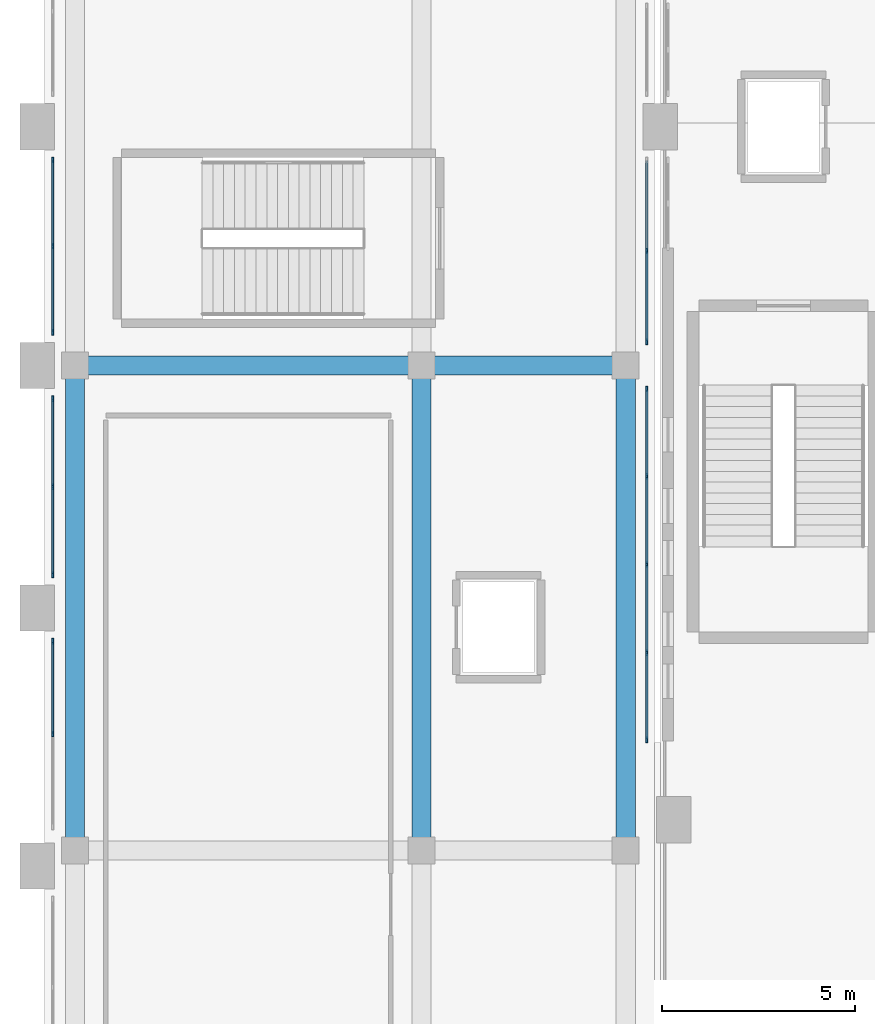
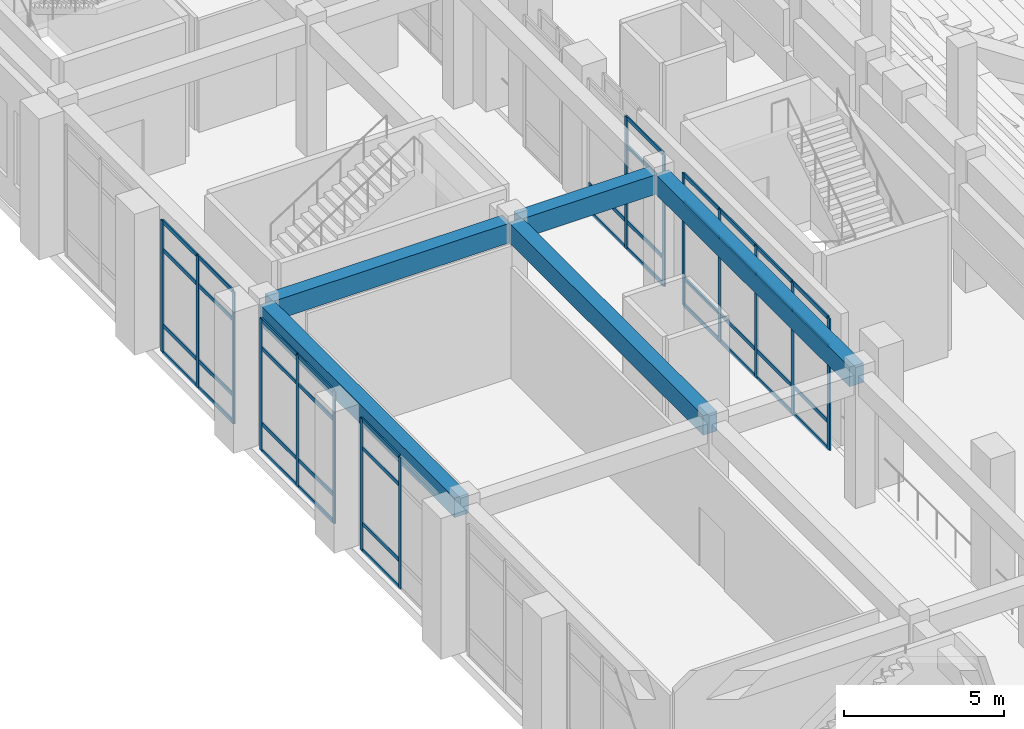
# One storey, part 28 of 159: 57 members, 5 beams, 5 elements without a shape of their own.
"""IFC4 building model written with IfcOpenShell, lengths in metres."""

from ifc_helpers import new_model, si_unit, derived_unit, direction, frame, origin, origin_2d, place, context, subcontext, project, spatial, rectangle, extrude, material, layer, layer_set, material_profile, profile_set, type_object, element, aggregate, save


model = new_model("IFC4")

# Units and contexts
model_context = context("Model", 3, precision=1e-05, world=origin(), true_north=direction((0.0, 1.0)))
body_context = subcontext(model_context, "Body", "Model", "MODEL_VIEW")
ifc_project = project(units=[si_unit("LENGTHUNIT", "METRE"), si_unit("AREAUNIT", "SQUARE_METRE"), si_unit("VOLUMEUNIT", "CUBIC_METRE"), si_unit("PLANEANGLEUNIT", "RADIAN"), si_unit("MASSUNIT", "GRAM", prefix="KILO"), derived_unit("THERMALTRANSMITTANCEUNIT", [(si_unit("MASSUNIT", "GRAM", prefix="KILO"), 1), (si_unit("TIMEUNIT", "SECOND"), -3), (si_unit("THERMODYNAMICTEMPERATUREUNIT", "KELVIN"), -1)])], contexts=[model_context])

# Site, building, storey
site_placement = place(None, origin())
site = spatial("IfcSite", under=ifc_project, at=site_placement, CompositionType="ELEMENT")
building_placement = place(site_placement, origin())
building = spatial("IfcBuilding", under=site, at=building_placement, Name="Valcora Ridge Arena", CompositionType="ELEMENT")
storey_placement = place(building_placement, frame((0.0, 0.0, 6.0)))
storey = spatial("IfcBuildingStorey", under=building, at=storey_placement, Name="L01", CompositionType="ELEMENT", Elevation=6.0)

# Beams
ifc_material_1 = material(Name="Concrete C40/50", Category="concrete")
ifc_material_profile_1 = material_profile(ifc_material_1, rectangle(XDim=0.5, YDim=0.75, at=origin_2d()), Name="RC 500x750")
ifc_profile_set_1 = profile_set([ifc_material_profile_1], Name="Concrete C40/50")
beam_type_1 = type_object("IfcBeamType", Name="TY-BEAM-B-RC500-X", PredefinedType="BEAM", material=ifc_profile_set_1)
beam_1_placement = place(storey_placement, frame((1.0, 57.800048828125, 4.6650390625), z_axis=(1.0, 0.0, 0.0), x_axis=(0.0, 1.0, 0.0)))
element("IfcBeam", 1, at=beam_1_placement, inside=storey, type_object=beam_type_1, Name="B-RC500-X BEM-B-RC500-X-0047", PredefinedType="BEAM", context=body_context, shape_type="SweptSolid", body=[
    extrude(rectangle(XDim=0.5, YDim=0.75, at=origin_2d()), origin(), (0.0, 0.0, 1.0), 8.60009765625),
])
beam_2_placement = place(storey_placement, frame((10.0, 57.800048828125, 4.6650390625), z_axis=(1.0, 0.0, 0.0), x_axis=(0.0, 1.0, 0.0)))
element("IfcBeam", 2, at=beam_2_placement, inside=storey, type_object=beam_type_1, Name="B-RC500-X BEM-B-RC500-X-0048", PredefinedType="BEAM", context=body_context, shape_type="SweptSolid", body=[
    extrude(rectangle(XDim=0.5, YDim=0.75, at=origin_2d()), origin(), (0.0, 0.0, 1.0), 4.89990234375),
])
ifc_material_profile_2 = material_profile(ifc_material_1, rectangle(XDim=0.5, YDim=0.75, at=origin_2d()), Name="RC 500x750")
ifc_profile_set_2 = profile_set([ifc_material_profile_2], Name="Concrete C40/50")
beam_type_2 = type_object("IfcBeamType", Name="TY-BEAM-B-RC500-Y", PredefinedType="BEAM", material=ifc_profile_set_2)
for number, where, z_axis, x_axis, name in (
    (3, (0.800048828125, 45.39990234375, 4.6650390625), (0.0, 1.0, 0.0), (-1.0, 0.0, 0.0), "B-RC500-Y BEM-B-RC500-Y-0038"),
    (4, (9.800048828125, 45.39990234375, 4.6650390625), (0.0, 1.0, 0.0), (-1.0, 0.0, 0.0), "B-RC500-Y BEM-B-RC500-Y-0046"),
    (5, (15.10009765625, 45.39990234375, 4.6650390625), (0.0, 1.0, 0.0), (-1.0, 0.0, 0.0), "B-RC500-Y BEM-B-RC500-Y-0053"),
):
    element("IfcBeam", number, at=place(storey_placement, frame(where, z_axis=z_axis, x_axis=x_axis)), inside=storey, type_object=beam_type_2, Name=name, PredefinedType="BEAM", context=body_context, shape_type="SweptSolid", body=[
        extrude(rectangle(XDim=0.5, YDim=0.75, at=origin_2d()), origin(), (0.0, 0.0, 1.0), 12.2001953125),
    ])

# Curtain wall, members
ifc_material_2 = material(Name="Anodised dark bronze architectural aluminium 6063-T6", Category="aluminium")
ifc_layer_1 = layer(ifc_material_2, 0.14990234375, Name="Anodised dark bronze architectural aluminium 6063-T6")
ifc_layer_set_1 = layer_set([ifc_layer_1], Name="Anodised dark bronze architectural aluminium 6063-T6")
curtain_wall_type_1 = type_object("IfcCurtainWallType", Name="TY-CURTAINWALL-CW-V4-CLUB-049X50", PredefinedType="NOTDEFINED", material=ifc_layer_set_1)
curtain_wall_1_placement = place(storey_placement, origin())
curtain_wall_1 = element("IfcCurtainWall", 6, at=curtain_wall_1_placement, inside=storey, type_object=curtain_wall_type_1, Name="CW-V4-CLUB-049X50 CW-0226", PredefinedType="NOTDEFINED")
ifc_material_profile_3 = material_profile(ifc_material_2, rectangle(XDim=0.050048828125, YDim=0.14990234375, at=origin_2d()), Name="ALU MULLION 50x150")
ifc_profile_set_3 = profile_set([ifc_material_profile_3], Name="Anodised dark bronze architectural aluminium 6063-T6")
member_type_1 = type_object("IfcMemberType", Name="TY-MEM-CWM-50x150", PredefinedType="MULLION", material=ifc_profile_set_3)
member_1_placement = place(storey_placement, frame((0.219970703125, 48.22509765625, 0.0), z_axis=(0.0, 0.0, 1.0), x_axis=(-1.0, 0.0, 0.0)))
member_1 = element("IfcMember", 7, at=member_1_placement, type_object=member_type_1, Name="CW-0226/CWM-50x150/M01", PredefinedType="MULLION", context=body_context, shape_type="SweptSolid", body=[
    extrude(rectangle(XDim=0.050048828125, YDim=0.14990234375, at=origin_2d()), origin(), (0.0, 0.0, 1.0), 5.0400390625),
])
member_2_placement = place(storey_placement, frame((0.219970703125, 50.635009765625, 0.0), z_axis=(0.0, 0.0, 1.0), x_axis=(-1.0, 0.0, 0.0)))
member_2 = element("IfcMember", 8, at=member_2_placement, type_object=member_type_1, Name="CW-0226/CWM-50x150/M02", PredefinedType="MULLION", context=body_context, shape_type="SweptSolid", body=[
    extrude(rectangle(XDim=0.050048828125, YDim=0.14990234375, at=origin_2d()), origin(), (0.0, 0.0, 1.0), 5.0400390625),
])

ifc_layer_2 = layer(ifc_material_2, 0.14990234375, Name="Anodised dark bronze architectural aluminium 6063-T6")
ifc_layer_set_2 = layer_set([ifc_layer_2], Name="Anodised dark bronze architectural aluminium 6063-T6")
curtain_wall_type_2 = type_object("IfcCurtainWallType", Name="TY-CURTAINWALL-CW-V4-CLUB-046X50", PredefinedType="NOTDEFINED", material=ifc_layer_set_2)
curtain_wall_2_placement = place(storey_placement, origin())
curtain_wall_2 = element("IfcCurtainWall", 9, at=curtain_wall_2_placement, inside=storey, type_object=curtain_wall_type_2, Name="CW-V4-CLUB-046X50 CW-0227", PredefinedType="NOTDEFINED")
member_3_placement = place(storey_placement, frame((0.219970703125, 52.364990234375, 0.0), z_axis=(0.0, 0.0, 1.0), x_axis=(-1.0, 0.0, 0.0)))
member_3 = element("IfcMember", 10, at=member_3_placement, type_object=member_type_1, Name="CW-0227/CWM-50x150/M00", PredefinedType="MULLION", context=body_context, shape_type="SweptSolid", body=[
    extrude(rectangle(XDim=0.050048828125, YDim=0.14990234375, at=origin_2d()), origin(), (0.0, 0.0, 1.0), 5.0400390625),
])
member_4_placement = place(storey_placement, frame((0.219970703125, 54.64990234375, 0.0), z_axis=(0.0, 0.0, 1.0), x_axis=(-1.0, 0.0, 0.0)))
member_4 = element("IfcMember", 11, at=member_4_placement, type_object=member_type_1, Name="CW-0227/CWM-50x150/M01", PredefinedType="MULLION", context=body_context, shape_type="SweptSolid", body=[
    extrude(rectangle(XDim=0.050048828125, YDim=0.14990234375, at=origin_2d()), origin(), (0.0, 0.0, 1.0), 5.0400390625),
])
member_5_placement = place(storey_placement, frame((0.219970703125, 56.93505859375, 0.0), z_axis=(0.0, 0.0, 1.0), x_axis=(-1.0, 0.0, 0.0)))
member_5 = element("IfcMember", 12, at=member_5_placement, type_object=member_type_1, Name="CW-0227/CWM-50x150/M02", PredefinedType="MULLION", context=body_context, shape_type="SweptSolid", body=[
    extrude(rectangle(XDim=0.050048828125, YDim=0.14990234375, at=origin_2d()), origin(), (0.0, 0.0, 1.0), 5.0400390625),
])

ifc_layer_3 = layer(ifc_material_2, 0.14990234375, Name="Anodised dark bronze architectural aluminium 6063-T6")
ifc_layer_set_3 = layer_set([ifc_layer_3], Name="Anodised dark bronze architectural aluminium 6063-T6")
curtain_wall_type_3 = type_object("IfcCurtainWallType", Name="TY-CURTAINWALL-CW-V4-CLUB-045X50", PredefinedType="NOTDEFINED", material=ifc_layer_set_3)
curtain_wall_3_placement = place(storey_placement, origin())
curtain_wall_3 = element("IfcCurtainWall", 13, at=curtain_wall_3_placement, inside=storey, type_object=curtain_wall_type_3, Name="CW-V4-CLUB-045X50 CW-0228", PredefinedType="NOTDEFINED")
member_6_placement = place(storey_placement, frame((0.219970703125, 58.6650390625, 0.0), z_axis=(0.0, 0.0, 1.0), x_axis=(-1.0, 0.0, 0.0)))
member_6 = element("IfcMember", 14, at=member_6_placement, type_object=member_type_1, Name="CW-0228/CWM-50x150/M00", PredefinedType="MULLION", context=body_context, shape_type="SweptSolid", body=[
    extrude(rectangle(XDim=0.050048828125, YDim=0.14990234375, at=origin_2d()), origin(), (0.0, 0.0, 1.0), 5.0400390625),
])
member_7_placement = place(storey_placement, frame((0.219970703125, 60.89990234375, 0.0), z_axis=(0.0, 0.0, 1.0), x_axis=(-1.0, 0.0, 0.0)))
member_7 = element("IfcMember", 15, at=member_7_placement, type_object=member_type_1, Name="CW-0228/CWM-50x150/M01", PredefinedType="MULLION", context=body_context, shape_type="SweptSolid", body=[
    extrude(rectangle(XDim=0.050048828125, YDim=0.14990234375, at=origin_2d()), origin(), (0.0, 0.0, 1.0), 5.0400390625),
])
member_8_placement = place(storey_placement, frame((0.219970703125, 63.135009765625, 0.0), z_axis=(0.0, 0.0, 1.0), x_axis=(-1.0, 0.0, 0.0)))
member_8 = element("IfcMember", 16, at=member_8_placement, type_object=member_type_1, Name="CW-0228/CWM-50x150/M02", PredefinedType="MULLION", context=body_context, shape_type="SweptSolid", body=[
    extrude(rectangle(XDim=0.050048828125, YDim=0.14990234375, at=origin_2d()), origin(), (0.0, 0.0, 1.0), 5.0400390625),
])

ifc_layer_4 = layer(ifc_material_2, 0.14990234375, Name="Anodised dark bronze architectural aluminium 6063-T6")
ifc_layer_set_4 = layer_set([ifc_layer_4], Name="Anodised dark bronze architectural aluminium 6063-T6")
curtain_wall_type_4 = type_object("IfcCurtainWallType", Name="TY-CURTAINWALL-CW-V4-CLUB-092X50", PredefinedType="NOTDEFINED", material=ifc_layer_set_4)
curtain_wall_4_placement = place(storey_placement, origin())
curtain_wall_4 = element("IfcCurtainWall", 17, at=curtain_wall_4_placement, inside=storey, type_object=curtain_wall_type_4, Name="CW-V4-CLUB-092X50 CW-0230", PredefinedType="NOTDEFINED")
member_9_placement = place(storey_placement, frame((15.64990234375, 48.074951171875, 0.0), z_axis=(0.0, 0.0, 1.0), x_axis=(-1.0, 0.0, 0.0)))
member_9 = element("IfcMember", 18, at=member_9_placement, type_object=member_type_1, Name="CW-0230/CWM-50x150/M00", PredefinedType="MULLION", context=body_context, shape_type="SweptSolid", body=[
    extrude(rectangle(XDim=0.050048828125, YDim=0.14990234375, at=origin_2d()), origin(), (0.0, 0.0, 1.0), 5.0400390625),
])
member_10_placement = place(storey_placement, frame((15.64990234375, 50.340087890625, 0.0), z_axis=(0.0, 0.0, 1.0), x_axis=(-1.0, 0.0, 0.0)))
member_10 = element("IfcMember", 19, at=member_10_placement, type_object=member_type_1, Name="CW-0230/CWM-50x150/M01", PredefinedType="MULLION", context=body_context, shape_type="SweptSolid", body=[
    extrude(rectangle(XDim=0.050048828125, YDim=0.14990234375, at=origin_2d()), origin(), (0.0, 0.0, 1.0), 5.0400390625),
])
member_11_placement = place(storey_placement, frame((15.64990234375, 52.6298828125, 0.0), z_axis=(0.0, 0.0, 1.0), x_axis=(-1.0, 0.0, 0.0)))
member_11 = element("IfcMember", 20, at=member_11_placement, type_object=member_type_1, Name="CW-0230/CWM-50x150/M02", PredefinedType="MULLION", context=body_context, shape_type="SweptSolid", body=[
    extrude(rectangle(XDim=0.050048828125, YDim=0.14990234375, at=origin_2d()), origin(), (0.0, 0.0, 1.0), 5.0400390625),
])
member_12_placement = place(storey_placement, frame((15.64990234375, 54.919921875, 0.0), z_axis=(0.0, 0.0, 1.0), x_axis=(-1.0, 0.0, 0.0)))
member_12 = element("IfcMember", 21, at=member_12_placement, type_object=member_type_1, Name="CW-0230/CWM-50x150/M03", PredefinedType="MULLION", context=body_context, shape_type="SweptSolid", body=[
    extrude(rectangle(XDim=0.050048828125, YDim=0.14990234375, at=origin_2d()), origin(), (0.0, 0.0, 1.0), 5.0400390625),
])
member_13_placement = place(storey_placement, frame((15.64990234375, 57.18505859375, 0.0), z_axis=(0.0, 0.0, 1.0), x_axis=(-1.0, 0.0, 0.0)))
member_13 = element("IfcMember", 22, at=member_13_placement, type_object=member_type_1, Name="CW-0230/CWM-50x150/M04", PredefinedType="MULLION", context=body_context, shape_type="SweptSolid", body=[
    extrude(rectangle(XDim=0.050048828125, YDim=0.14990234375, at=origin_2d()), origin(), (0.0, 0.0, 1.0), 5.0400390625),
])

ifc_layer_5 = layer(ifc_material_2, 0.14990234375, Name="Anodised dark bronze architectural aluminium 6063-T6")
ifc_layer_set_5 = layer_set([ifc_layer_5], Name="Anodised dark bronze architectural aluminium 6063-T6")
curtain_wall_type_5 = type_object("IfcCurtainWallType", Name="TY-CURTAINWALL-CW-V4-CLUB-048X50", PredefinedType="NOTDEFINED", material=ifc_layer_set_5)
curtain_wall_5_placement = place(storey_placement, origin())
curtain_wall_5 = element("IfcCurtainWall", 23, at=curtain_wall_5_placement, inside=storey, type_object=curtain_wall_type_5, Name="CW-V4-CLUB-048X50 CW-0231", PredefinedType="NOTDEFINED")
member_14_placement = place(storey_placement, frame((15.64990234375, 58.4150390625, 0.0), z_axis=(0.0, 0.0, 1.0), x_axis=(-1.0, 0.0, 0.0)))
member_14 = element("IfcMember", 24, at=member_14_placement, type_object=member_type_1, Name="CW-0231/CWM-50x150/M00", PredefinedType="MULLION", context=body_context, shape_type="SweptSolid", body=[
    extrude(rectangle(XDim=0.050048828125, YDim=0.14990234375, at=origin_2d()), origin(), (0.0, 0.0, 1.0), 5.0400390625),
])
member_15_placement = place(storey_placement, frame((15.64990234375, 60.77490234375, 0.0), z_axis=(0.0, 0.0, 1.0), x_axis=(-1.0, 0.0, 0.0)))
member_15 = element("IfcMember", 25, at=member_15_placement, type_object=member_type_1, Name="CW-0231/CWM-50x150/M01", PredefinedType="MULLION", context=body_context, shape_type="SweptSolid", body=[
    extrude(rectangle(XDim=0.050048828125, YDim=0.14990234375, at=origin_2d()), origin(), (0.0, 0.0, 1.0), 5.0400390625),
])

# Member
ifc_material_profile_4 = material_profile(ifc_material_2, rectangle(XDim=0.050048828125, YDim=0.14990234375, at=origin_2d()), Name="ALU TRANSOM 50x150")
ifc_profile_set_4 = profile_set([ifc_material_profile_4], Name="Anodised dark bronze architectural aluminium 6063-T6")
member_type_2 = type_object("IfcMemberType", Name="TY-MEM-CWT-50x150", PredefinedType="USERDEFINED", material=ifc_profile_set_4)
member_16_placement = place(storey_placement, frame((0.219970703125, 48.25, 0.02490234375), z_axis=(0.0, 1.0, 0.0), x_axis=(-1.0, 0.0, 0.0)))
member_16 = element("IfcMember", 26, at=member_16_placement, type_object=member_type_2, Name="CW-0226/CWT-50x150/T01-00", ObjectType="TRANSOM", PredefinedType="USERDEFINED", context=body_context, shape_type="SweptSolid", body=[
    extrude(rectangle(XDim=0.050048828125, YDim=0.14990234375, at=origin_2d()), origin(), (0.0, 0.0, 1.0), 2.360107421875),
])

member_17_placement = place(storey_placement, frame((0.219970703125, 48.25, 1.050048828125), z_axis=(0.0, 1.0, 0.0), x_axis=(-1.0, 0.0, 0.0)))
member_17 = element("IfcMember", 27, at=member_17_placement, type_object=member_type_2, Name="CW-0226/CWT-50x150/T01-01", ObjectType="TRANSOM", PredefinedType="USERDEFINED", context=body_context, shape_type="SweptSolid", body=[
    extrude(rectangle(XDim=0.050048828125, YDim=0.14990234375, at=origin_2d()), origin(), (0.0, 0.0, 1.0), 2.360107421875),
])

member_18_placement = place(storey_placement, frame((0.219970703125, 48.25, 3.93994140625), z_axis=(0.0, 1.0, 0.0), x_axis=(-1.0, 0.0, 0.0)))
member_18 = element("IfcMember", 28, at=member_18_placement, type_object=member_type_2, Name="CW-0226/CWT-50x150/T01-02", ObjectType="TRANSOM", PredefinedType="USERDEFINED", context=body_context, shape_type="SweptSolid", body=[
    extrude(rectangle(XDim=0.050048828125, YDim=0.14990234375, at=origin_2d()), origin(), (0.0, 0.0, 1.0), 2.360107421875),
])

member_19_placement = place(storey_placement, frame((0.219970703125, 48.25, 5.014892578125), z_axis=(0.0, 1.0, 0.0), x_axis=(-1.0, 0.0, 0.0)))
member_19 = element("IfcMember", 29, at=member_19_placement, type_object=member_type_2, Name="CW-0226/CWT-50x150/T01-03", ObjectType="TRANSOM", PredefinedType="USERDEFINED", context=body_context, shape_type="SweptSolid", body=[
    extrude(rectangle(XDim=0.050048828125, YDim=0.14990234375, at=origin_2d()), origin(), (0.0, 0.0, 1.0), 2.360107421875),
])

aggregate(curtain_wall_1, [member_1, member_2, member_16, member_17, member_18, member_19])

member_20_placement = place(storey_placement, frame((0.219970703125, 52.389892578125, 0.02490234375), z_axis=(0.0, 1.0, 0.0), x_axis=(-1.0, 0.0, 0.0)))
member_20 = element("IfcMember", 30, at=member_20_placement, type_object=member_type_2, Name="CW-0227/CWT-50x150/T00-00", ObjectType="TRANSOM", PredefinedType="USERDEFINED", context=body_context, shape_type="SweptSolid", body=[
    extrude(rectangle(XDim=0.050048828125, YDim=0.14990234375, at=origin_2d()), origin(), (0.0, 0.0, 1.0), 2.235107421875),
])

member_21_placement = place(storey_placement, frame((0.219970703125, 52.389892578125, 1.050048828125), z_axis=(0.0, 1.0, 0.0), x_axis=(-1.0, 0.0, 0.0)))
member_21 = element("IfcMember", 31, at=member_21_placement, type_object=member_type_2, Name="CW-0227/CWT-50x150/T00-01", ObjectType="TRANSOM", PredefinedType="USERDEFINED", context=body_context, shape_type="SweptSolid", body=[
    extrude(rectangle(XDim=0.050048828125, YDim=0.14990234375, at=origin_2d()), origin(), (0.0, 0.0, 1.0), 2.235107421875),
])

member_22_placement = place(storey_placement, frame((0.219970703125, 52.389892578125, 3.93994140625), z_axis=(0.0, 1.0, 0.0), x_axis=(-1.0, 0.0, 0.0)))
member_22 = element("IfcMember", 32, at=member_22_placement, type_object=member_type_2, Name="CW-0227/CWT-50x150/T00-02", ObjectType="TRANSOM", PredefinedType="USERDEFINED", context=body_context, shape_type="SweptSolid", body=[
    extrude(rectangle(XDim=0.050048828125, YDim=0.14990234375, at=origin_2d()), origin(), (0.0, 0.0, 1.0), 2.235107421875),
])

member_23_placement = place(storey_placement, frame((0.219970703125, 52.389892578125, 5.014892578125), z_axis=(0.0, 1.0, 0.0), x_axis=(-1.0, 0.0, 0.0)))
member_23 = element("IfcMember", 33, at=member_23_placement, type_object=member_type_2, Name="CW-0227/CWT-50x150/T00-03", ObjectType="TRANSOM", PredefinedType="USERDEFINED", context=body_context, shape_type="SweptSolid", body=[
    extrude(rectangle(XDim=0.050048828125, YDim=0.14990234375, at=origin_2d()), origin(), (0.0, 0.0, 1.0), 2.235107421875),
])

member_24_placement = place(storey_placement, frame((0.219970703125, 54.675048828125, 0.02490234375), z_axis=(0.0, 1.0, 0.0), x_axis=(-1.0, 0.0, 0.0)))
member_24 = element("IfcMember", 34, at=member_24_placement, type_object=member_type_2, Name="CW-0227/CWT-50x150/T01-00", ObjectType="TRANSOM", PredefinedType="USERDEFINED", context=body_context, shape_type="SweptSolid", body=[
    extrude(rectangle(XDim=0.050048828125, YDim=0.14990234375, at=origin_2d()), origin(), (0.0, 0.0, 1.0), 2.23486328125),
])

member_25_placement = place(storey_placement, frame((0.219970703125, 54.675048828125, 1.050048828125), z_axis=(0.0, 1.0, 0.0), x_axis=(-1.0, 0.0, 0.0)))
member_25 = element("IfcMember", 35, at=member_25_placement, type_object=member_type_2, Name="CW-0227/CWT-50x150/T01-01", ObjectType="TRANSOM", PredefinedType="USERDEFINED", context=body_context, shape_type="SweptSolid", body=[
    extrude(rectangle(XDim=0.050048828125, YDim=0.14990234375, at=origin_2d()), origin(), (0.0, 0.0, 1.0), 2.23486328125),
])

member_26_placement = place(storey_placement, frame((0.219970703125, 54.675048828125, 3.93994140625), z_axis=(0.0, 1.0, 0.0), x_axis=(-1.0, 0.0, 0.0)))
member_26 = element("IfcMember", 36, at=member_26_placement, type_object=member_type_2, Name="CW-0227/CWT-50x150/T01-02", ObjectType="TRANSOM", PredefinedType="USERDEFINED", context=body_context, shape_type="SweptSolid", body=[
    extrude(rectangle(XDim=0.050048828125, YDim=0.14990234375, at=origin_2d()), origin(), (0.0, 0.0, 1.0), 2.23486328125),
])

member_27_placement = place(storey_placement, frame((0.219970703125, 54.675048828125, 5.014892578125), z_axis=(0.0, 1.0, 0.0), x_axis=(-1.0, 0.0, 0.0)))
member_27 = element("IfcMember", 37, at=member_27_placement, type_object=member_type_2, Name="CW-0227/CWT-50x150/T01-03", ObjectType="TRANSOM", PredefinedType="USERDEFINED", context=body_context, shape_type="SweptSolid", body=[
    extrude(rectangle(XDim=0.050048828125, YDim=0.14990234375, at=origin_2d()), origin(), (0.0, 0.0, 1.0), 2.23486328125),
])

aggregate(curtain_wall_2, [member_3, member_4, member_5, member_20, member_21, member_22, member_23, member_24, member_25, member_26, member_27])

member_28_placement = place(storey_placement, frame((0.219970703125, 58.68994140625, 0.02490234375), z_axis=(0.0, 1.0, 0.0), x_axis=(-1.0, 0.0, 0.0)))
member_28 = element("IfcMember", 38, at=member_28_placement, type_object=member_type_2, Name="CW-0228/CWT-50x150/T00-00", ObjectType="TRANSOM", PredefinedType="USERDEFINED", context=body_context, shape_type="SweptSolid", body=[
    extrude(rectangle(XDim=0.050048828125, YDim=0.14990234375, at=origin_2d()), origin(), (0.0, 0.0, 1.0), 2.18505859375),
])

member_29_placement = place(storey_placement, frame((0.219970703125, 58.68994140625, 1.050048828125), z_axis=(0.0, 1.0, 0.0), x_axis=(-1.0, 0.0, 0.0)))
member_29 = element("IfcMember", 39, at=member_29_placement, type_object=member_type_2, Name="CW-0228/CWT-50x150/T00-01", ObjectType="TRANSOM", PredefinedType="USERDEFINED", context=body_context, shape_type="SweptSolid", body=[
    extrude(rectangle(XDim=0.050048828125, YDim=0.14990234375, at=origin_2d()), origin(), (0.0, 0.0, 1.0), 2.18505859375),
])

member_30_placement = place(storey_placement, frame((0.219970703125, 58.68994140625, 3.93994140625), z_axis=(0.0, 1.0, 0.0), x_axis=(-1.0, 0.0, 0.0)))
member_30 = element("IfcMember", 40, at=member_30_placement, type_object=member_type_2, Name="CW-0228/CWT-50x150/T00-02", ObjectType="TRANSOM", PredefinedType="USERDEFINED", context=body_context, shape_type="SweptSolid", body=[
    extrude(rectangle(XDim=0.050048828125, YDim=0.14990234375, at=origin_2d()), origin(), (0.0, 0.0, 1.0), 2.18505859375),
])

member_31_placement = place(storey_placement, frame((0.219970703125, 58.68994140625, 5.014892578125), z_axis=(0.0, 1.0, 0.0), x_axis=(-1.0, 0.0, 0.0)))
member_31 = element("IfcMember", 41, at=member_31_placement, type_object=member_type_2, Name="CW-0228/CWT-50x150/T00-03", ObjectType="TRANSOM", PredefinedType="USERDEFINED", context=body_context, shape_type="SweptSolid", body=[
    extrude(rectangle(XDim=0.050048828125, YDim=0.14990234375, at=origin_2d()), origin(), (0.0, 0.0, 1.0), 2.18505859375),
])

member_32_placement = place(storey_placement, frame((0.219970703125, 60.925048828125, 0.02490234375), z_axis=(0.0, 1.0, 0.0), x_axis=(-1.0, 0.0, 0.0)))
member_32 = element("IfcMember", 42, at=member_32_placement, type_object=member_type_2, Name="CW-0228/CWT-50x150/T01-00", ObjectType="TRANSOM", PredefinedType="USERDEFINED", context=body_context, shape_type="SweptSolid", body=[
    extrude(rectangle(XDim=0.050048828125, YDim=0.14990234375, at=origin_2d()), origin(), (0.0, 0.0, 1.0), 2.18505859375),
])

member_33_placement = place(storey_placement, frame((0.219970703125, 60.925048828125, 1.050048828125), z_axis=(0.0, 1.0, 0.0), x_axis=(-1.0, 0.0, 0.0)))
member_33 = element("IfcMember", 43, at=member_33_placement, type_object=member_type_2, Name="CW-0228/CWT-50x150/T01-01", ObjectType="TRANSOM", PredefinedType="USERDEFINED", context=body_context, shape_type="SweptSolid", body=[
    extrude(rectangle(XDim=0.050048828125, YDim=0.14990234375, at=origin_2d()), origin(), (0.0, 0.0, 1.0), 2.18505859375),
])

member_34_placement = place(storey_placement, frame((0.219970703125, 60.925048828125, 3.93994140625), z_axis=(0.0, 1.0, 0.0), x_axis=(-1.0, 0.0, 0.0)))
member_34 = element("IfcMember", 44, at=member_34_placement, type_object=member_type_2, Name="CW-0228/CWT-50x150/T01-02", ObjectType="TRANSOM", PredefinedType="USERDEFINED", context=body_context, shape_type="SweptSolid", body=[
    extrude(rectangle(XDim=0.050048828125, YDim=0.14990234375, at=origin_2d()), origin(), (0.0, 0.0, 1.0), 2.18505859375),
])

member_35_placement = place(storey_placement, frame((0.219970703125, 60.925048828125, 5.014892578125), z_axis=(0.0, 1.0, 0.0), x_axis=(-1.0, 0.0, 0.0)))
member_35 = element("IfcMember", 45, at=member_35_placement, type_object=member_type_2, Name="CW-0228/CWT-50x150/T01-03", ObjectType="TRANSOM", PredefinedType="USERDEFINED", context=body_context, shape_type="SweptSolid", body=[
    extrude(rectangle(XDim=0.050048828125, YDim=0.14990234375, at=origin_2d()), origin(), (0.0, 0.0, 1.0), 2.18505859375),
])

aggregate(curtain_wall_3, [member_6, member_7, member_8, member_28, member_29, member_30, member_31, member_32, member_33, member_34, member_35])

member_36_placement = place(storey_placement, frame((15.64990234375, 48.10009765625, 0.02490234375), z_axis=(0.0, 1.0, 0.0), x_axis=(-1.0, 0.0, 0.0)))
member_36 = element("IfcMember", 46, at=member_36_placement, type_object=member_type_2, Name="CW-0230/CWT-50x150/T00-00", ObjectType="TRANSOM", PredefinedType="USERDEFINED", context=body_context, shape_type="SweptSolid", body=[
    extrude(rectangle(XDim=0.050048828125, YDim=0.14990234375, at=origin_2d()), origin(), (0.0, 0.0, 1.0), 2.21484375),
])

member_37_placement = place(storey_placement, frame((15.64990234375, 48.10009765625, 1.050048828125), z_axis=(0.0, 1.0, 0.0), x_axis=(-1.0, 0.0, 0.0)))
member_37 = element("IfcMember", 47, at=member_37_placement, type_object=member_type_2, Name="CW-0230/CWT-50x150/T00-01", ObjectType="TRANSOM", PredefinedType="USERDEFINED", context=body_context, shape_type="SweptSolid", body=[
    extrude(rectangle(XDim=0.050048828125, YDim=0.14990234375, at=origin_2d()), origin(), (0.0, 0.0, 1.0), 2.21484375),
])

member_38_placement = place(storey_placement, frame((15.64990234375, 48.10009765625, 3.93994140625), z_axis=(0.0, 1.0, 0.0), x_axis=(-1.0, 0.0, 0.0)))
member_38 = element("IfcMember", 48, at=member_38_placement, type_object=member_type_2, Name="CW-0230/CWT-50x150/T00-02", ObjectType="TRANSOM", PredefinedType="USERDEFINED", context=body_context, shape_type="SweptSolid", body=[
    extrude(rectangle(XDim=0.050048828125, YDim=0.14990234375, at=origin_2d()), origin(), (0.0, 0.0, 1.0), 2.21484375),
])

member_39_placement = place(storey_placement, frame((15.64990234375, 48.10009765625, 5.014892578125), z_axis=(0.0, 1.0, 0.0), x_axis=(-1.0, 0.0, 0.0)))
member_39 = element("IfcMember", 49, at=member_39_placement, type_object=member_type_2, Name="CW-0230/CWT-50x150/T00-03", ObjectType="TRANSOM", PredefinedType="USERDEFINED", context=body_context, shape_type="SweptSolid", body=[
    extrude(rectangle(XDim=0.050048828125, YDim=0.14990234375, at=origin_2d()), origin(), (0.0, 0.0, 1.0), 2.21484375),
])

member_40_placement = place(storey_placement, frame((15.64990234375, 50.364990234375, 0.02490234375), z_axis=(0.0, 1.0, 0.0), x_axis=(-1.0, 0.0, 0.0)))
member_40 = element("IfcMember", 50, at=member_40_placement, type_object=member_type_2, Name="CW-0230/CWT-50x150/T01-00", ObjectType="TRANSOM", PredefinedType="USERDEFINED", context=body_context, shape_type="SweptSolid", body=[
    extrude(rectangle(XDim=0.050048828125, YDim=0.14990234375, at=origin_2d()), origin(), (0.0, 0.0, 1.0), 2.239990234375),
])

member_41_placement = place(storey_placement, frame((15.64990234375, 50.364990234375, 1.050048828125), z_axis=(0.0, 1.0, 0.0), x_axis=(-1.0, 0.0, 0.0)))
member_41 = element("IfcMember", 51, at=member_41_placement, type_object=member_type_2, Name="CW-0230/CWT-50x150/T01-01", ObjectType="TRANSOM", PredefinedType="USERDEFINED", context=body_context, shape_type="SweptSolid", body=[
    extrude(rectangle(XDim=0.050048828125, YDim=0.14990234375, at=origin_2d()), origin(), (0.0, 0.0, 1.0), 2.239990234375),
])

member_42_placement = place(storey_placement, frame((15.64990234375, 50.364990234375, 3.93994140625), z_axis=(0.0, 1.0, 0.0), x_axis=(-1.0, 0.0, 0.0)))
member_42 = element("IfcMember", 52, at=member_42_placement, type_object=member_type_2, Name="CW-0230/CWT-50x150/T01-02", ObjectType="TRANSOM", PredefinedType="USERDEFINED", context=body_context, shape_type="SweptSolid", body=[
    extrude(rectangle(XDim=0.050048828125, YDim=0.14990234375, at=origin_2d()), origin(), (0.0, 0.0, 1.0), 2.239990234375),
])

member_43_placement = place(storey_placement, frame((15.64990234375, 50.364990234375, 5.014892578125), z_axis=(0.0, 1.0, 0.0), x_axis=(-1.0, 0.0, 0.0)))
member_43 = element("IfcMember", 53, at=member_43_placement, type_object=member_type_2, Name="CW-0230/CWT-50x150/T01-03", ObjectType="TRANSOM", PredefinedType="USERDEFINED", context=body_context, shape_type="SweptSolid", body=[
    extrude(rectangle(XDim=0.050048828125, YDim=0.14990234375, at=origin_2d()), origin(), (0.0, 0.0, 1.0), 2.239990234375),
])

member_44_placement = place(storey_placement, frame((15.64990234375, 52.655029296875, 0.02490234375), z_axis=(0.0, 1.0, 0.0), x_axis=(-1.0, 0.0, 0.0)))
member_44 = element("IfcMember", 54, at=member_44_placement, type_object=member_type_2, Name="CW-0230/CWT-50x150/T02-00", ObjectType="TRANSOM", PredefinedType="USERDEFINED", context=body_context, shape_type="SweptSolid", body=[
    extrude(rectangle(XDim=0.050048828125, YDim=0.14990234375, at=origin_2d()), origin(), (0.0, 0.0, 1.0), 2.239990234375),
])

member_45_placement = place(storey_placement, frame((15.64990234375, 52.655029296875, 1.050048828125), z_axis=(0.0, 1.0, 0.0), x_axis=(-1.0, 0.0, 0.0)))
member_45 = element("IfcMember", 55, at=member_45_placement, type_object=member_type_2, Name="CW-0230/CWT-50x150/T02-01", ObjectType="TRANSOM", PredefinedType="USERDEFINED", context=body_context, shape_type="SweptSolid", body=[
    extrude(rectangle(XDim=0.050048828125, YDim=0.14990234375, at=origin_2d()), origin(), (0.0, 0.0, 1.0), 2.239990234375),
])

member_46_placement = place(storey_placement, frame((15.64990234375, 52.655029296875, 3.93994140625), z_axis=(0.0, 1.0, 0.0), x_axis=(-1.0, 0.0, 0.0)))
member_46 = element("IfcMember", 56, at=member_46_placement, type_object=member_type_2, Name="CW-0230/CWT-50x150/T02-02", ObjectType="TRANSOM", PredefinedType="USERDEFINED", context=body_context, shape_type="SweptSolid", body=[
    extrude(rectangle(XDim=0.050048828125, YDim=0.14990234375, at=origin_2d()), origin(), (0.0, 0.0, 1.0), 2.239990234375),
])

member_47_placement = place(storey_placement, frame((15.64990234375, 52.655029296875, 5.014892578125), z_axis=(0.0, 1.0, 0.0), x_axis=(-1.0, 0.0, 0.0)))
member_47 = element("IfcMember", 57, at=member_47_placement, type_object=member_type_2, Name="CW-0230/CWT-50x150/T02-03", ObjectType="TRANSOM", PredefinedType="USERDEFINED", context=body_context, shape_type="SweptSolid", body=[
    extrude(rectangle(XDim=0.050048828125, YDim=0.14990234375, at=origin_2d()), origin(), (0.0, 0.0, 1.0), 2.239990234375),
])

member_48_placement = place(storey_placement, frame((15.64990234375, 54.945068359375, 0.02490234375), z_axis=(0.0, 1.0, 0.0), x_axis=(-1.0, 0.0, 0.0)))
member_48 = element("IfcMember", 58, at=member_48_placement, type_object=member_type_2, Name="CW-0230/CWT-50x150/T03-00", ObjectType="TRANSOM", PredefinedType="USERDEFINED", context=body_context, shape_type="SweptSolid", body=[
    extrude(rectangle(XDim=0.050048828125, YDim=0.14990234375, at=origin_2d()), origin(), (0.0, 0.0, 1.0), 2.21484375),
])

member_49_placement = place(storey_placement, frame((15.64990234375, 54.945068359375, 1.050048828125), z_axis=(0.0, 1.0, 0.0), x_axis=(-1.0, 0.0, 0.0)))
member_49 = element("IfcMember", 59, at=member_49_placement, type_object=member_type_2, Name="CW-0230/CWT-50x150/T03-01", ObjectType="TRANSOM", PredefinedType="USERDEFINED", context=body_context, shape_type="SweptSolid", body=[
    extrude(rectangle(XDim=0.050048828125, YDim=0.14990234375, at=origin_2d()), origin(), (0.0, 0.0, 1.0), 2.21484375),
])

member_50_placement = place(storey_placement, frame((15.64990234375, 54.945068359375, 3.93994140625), z_axis=(0.0, 1.0, 0.0), x_axis=(-1.0, 0.0, 0.0)))
member_50 = element("IfcMember", 60, at=member_50_placement, type_object=member_type_2, Name="CW-0230/CWT-50x150/T03-02", ObjectType="TRANSOM", PredefinedType="USERDEFINED", context=body_context, shape_type="SweptSolid", body=[
    extrude(rectangle(XDim=0.050048828125, YDim=0.14990234375, at=origin_2d()), origin(), (0.0, 0.0, 1.0), 2.21484375),
])

member_51_placement = place(storey_placement, frame((15.64990234375, 54.945068359375, 5.014892578125), z_axis=(0.0, 1.0, 0.0), x_axis=(-1.0, 0.0, 0.0)))
member_51 = element("IfcMember", 61, at=member_51_placement, type_object=member_type_2, Name="CW-0230/CWT-50x150/T03-03", ObjectType="TRANSOM", PredefinedType="USERDEFINED", context=body_context, shape_type="SweptSolid", body=[
    extrude(rectangle(XDim=0.050048828125, YDim=0.14990234375, at=origin_2d()), origin(), (0.0, 0.0, 1.0), 2.21484375),
])

aggregate(curtain_wall_4, [member_9, member_10, member_11, member_12, member_13, member_36, member_37, member_38, member_39, member_40, member_41, member_42, member_43, member_44, member_45, member_46, member_47, member_48, member_49, member_50, member_51])

member_52_placement = place(storey_placement, frame((15.64990234375, 58.43994140625, 0.02490234375), z_axis=(0.0, 1.0, 0.0), x_axis=(-1.0, 0.0, 0.0)))
member_52 = element("IfcMember", 62, at=member_52_placement, type_object=member_type_2, Name="CW-0231/CWT-50x150/T00-00", ObjectType="TRANSOM", PredefinedType="USERDEFINED", context=body_context, shape_type="SweptSolid", body=[
    extrude(rectangle(XDim=0.050048828125, YDim=0.14990234375, at=origin_2d()), origin(), (0.0, 0.0, 1.0), 2.31005859375),
])

member_53_placement = place(storey_placement, frame((15.64990234375, 58.43994140625, 1.050048828125), z_axis=(0.0, 1.0, 0.0), x_axis=(-1.0, 0.0, 0.0)))
member_53 = element("IfcMember", 63, at=member_53_placement, type_object=member_type_2, Name="CW-0231/CWT-50x150/T00-01", ObjectType="TRANSOM", PredefinedType="USERDEFINED", context=body_context, shape_type="SweptSolid", body=[
    extrude(rectangle(XDim=0.050048828125, YDim=0.14990234375, at=origin_2d()), origin(), (0.0, 0.0, 1.0), 2.31005859375),
])

member_54_placement = place(storey_placement, frame((15.64990234375, 58.43994140625, 3.93994140625), z_axis=(0.0, 1.0, 0.0), x_axis=(-1.0, 0.0, 0.0)))
member_54 = element("IfcMember", 64, at=member_54_placement, type_object=member_type_2, Name="CW-0231/CWT-50x150/T00-02", ObjectType="TRANSOM", PredefinedType="USERDEFINED", context=body_context, shape_type="SweptSolid", body=[
    extrude(rectangle(XDim=0.050048828125, YDim=0.14990234375, at=origin_2d()), origin(), (0.0, 0.0, 1.0), 2.31005859375),
])

member_55_placement = place(storey_placement, frame((15.64990234375, 58.43994140625, 5.014892578125), z_axis=(0.0, 1.0, 0.0), x_axis=(-1.0, 0.0, 0.0)))
member_55 = element("IfcMember", 65, at=member_55_placement, type_object=member_type_2, Name="CW-0231/CWT-50x150/T00-03", ObjectType="TRANSOM", PredefinedType="USERDEFINED", context=body_context, shape_type="SweptSolid", body=[
    extrude(rectangle(XDim=0.050048828125, YDim=0.14990234375, at=origin_2d()), origin(), (0.0, 0.0, 1.0), 2.31005859375),
])

member_56_placement = place(storey_placement, frame((15.64990234375, 60.800048828125, 0.02490234375), z_axis=(0.0, 1.0, 0.0), x_axis=(-1.0, 0.0, 0.0)))
member_56 = element("IfcMember", 66, at=member_56_placement, type_object=member_type_2, Name="CW-0231/CWT-50x150/T01-00", ObjectType="TRANSOM", PredefinedType="USERDEFINED", context=body_context, shape_type="SweptSolid", body=[
    extrude(rectangle(XDim=0.050048828125, YDim=0.14990234375, at=origin_2d()), origin(), (0.0, 0.0, 1.0), 2.31005859375),
])

member_57_placement = place(storey_placement, frame((15.64990234375, 60.800048828125, 1.050048828125), z_axis=(0.0, 1.0, 0.0), x_axis=(-1.0, 0.0, 0.0)))
member_57 = element("IfcMember", 67, at=member_57_placement, type_object=member_type_2, Name="CW-0231/CWT-50x150/T01-01", ObjectType="TRANSOM", PredefinedType="USERDEFINED", context=body_context, shape_type="SweptSolid", body=[
    extrude(rectangle(XDim=0.050048828125, YDim=0.14990234375, at=origin_2d()), origin(), (0.0, 0.0, 1.0), 2.31005859375),
])

aggregate(curtain_wall_5, [member_14, member_15, member_52, member_53, member_54, member_55, member_56, member_57])

save(model, "model.ifc")
